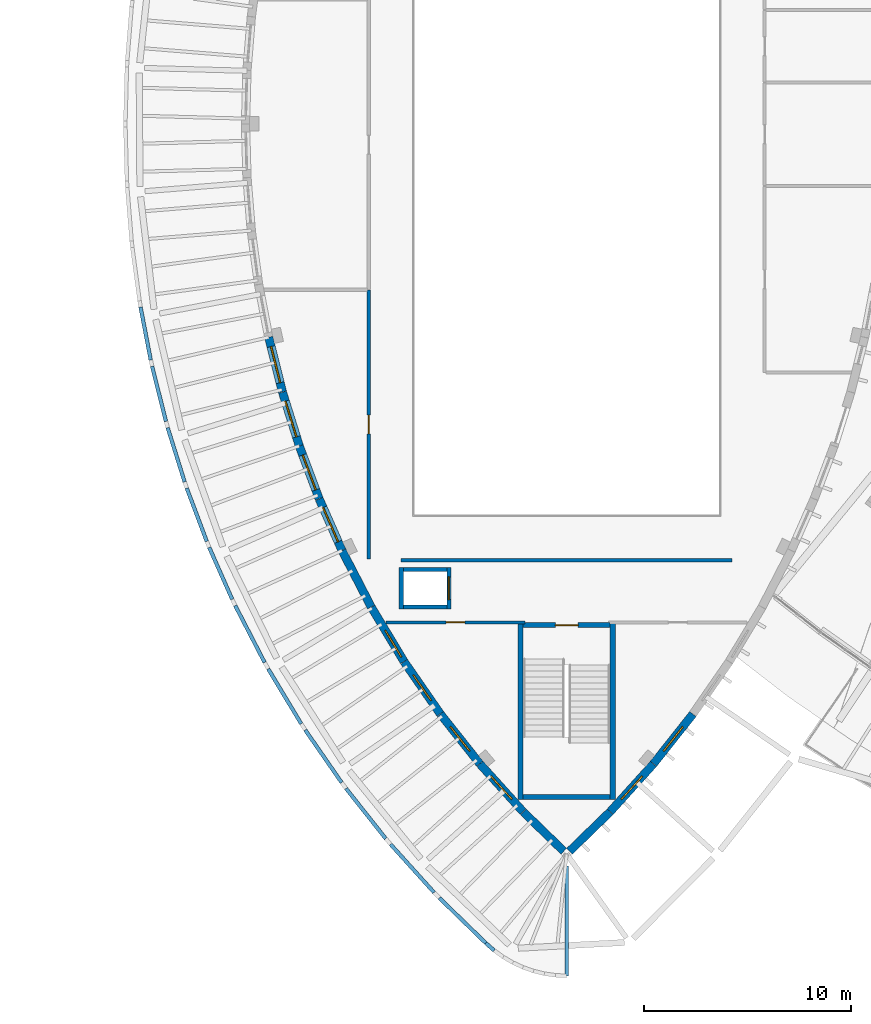
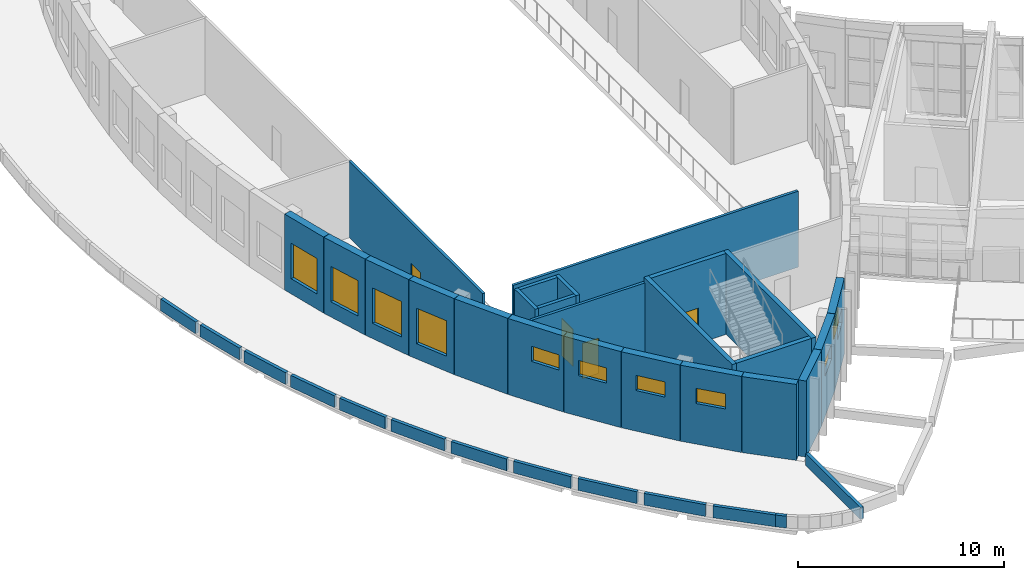
# One storey, part 52 of 93: 37 walls, 10 windows, 4 doors, 14 openings.
"""IFC4 building model written with IfcOpenShell, lengths in metres."""

from ifc_helpers import new_model, si_unit, direction, frame, frame_2d, origin, place, context, subcontext, project, spatial, rectangle, extrude, material, layer, layer_set, type_object, element, fill, save


model = new_model("IFC4")

# Units and contexts
model_context = context("Model", 3, precision=1e-05, world=origin(), true_north=direction((0.0, 1.0)))
body_context = subcontext(model_context, "Body", "Model", "MODEL_VIEW")
ifc_project = project(units=[si_unit("LENGTHUNIT", "METRE"), si_unit("AREAUNIT", "SQUARE_METRE"), si_unit("VOLUMEUNIT", "CUBIC_METRE"), si_unit("PLANEANGLEUNIT", "RADIAN"), si_unit("MASSUNIT", "GRAM", prefix="KILO")], contexts=[model_context])

# Site, building, storey
site_placement = place(None, origin())
site = spatial("IfcSite", under=ifc_project, at=site_placement, CompositionType="ELEMENT")
building_placement = place(site_placement, origin())
building = spatial("IfcBuilding", under=site, at=building_placement, Name="Tide Square Theatres", CompositionType="ELEMENT")
storey_placement = place(building_placement, frame((0.0, 0.0, 5.39990234375)))
storey = spatial("IfcBuildingStorey", under=building, at=storey_placement, Name="L01", CompositionType="ELEMENT", Elevation=5.39990234375)

# Wall
ifc_material_1 = material(Name="Gypsum board on steel studs", Category="steel")
ifc_layer_1 = layer(ifc_material_1, 0.14990234375)
ifc_layer_set_1 = layer_set([ifc_layer_1], Name="Gypsum board on steel studs")
wall_type_1 = type_object("IfcWallType", Name="Partition 150 thick", PredefinedType="PARTITIONING", material=ifc_layer_set_1)
wall_1_placement = place(storey_placement, frame((43.97998046875, 23.449951171875, 0.0), z_axis=(0.0, 0.0, 1.0), x_axis=(-1.0, 0.0, 0.0)))
element("IfcWall", 1, at=wall_1_placement, inside=storey, type_object=wall_type_1, Name="Studio Theatre partition", PredefinedType="PARTITIONING", context=body_context, shape_type="SweptSolid", body=[
    extrude(rectangle(XDim=15.9599609375, YDim=0.14990234375, at=frame_2d((7.97998046875, 0.0))), origin(), (0.0, 0.0, 1.0), 4.5),
])

# Wall, opening, door
wall_2_placement = place(storey_placement, frame((26.449951171875, 23.52001953125, 0.0), z_axis=(0.0, 0.0, 1.0), x_axis=(0.0, 1.0, 0.0)))
wall_2 = element("IfcWall", 2, at=wall_2_placement, inside=storey, type_object=wall_type_1, Name="Studio Theatre partition", PredefinedType="PARTITIONING", context=body_context, shape_type="SweptSolid", body=[
    extrude(rectangle(XDim=12.9599609375, YDim=0.14990234375, at=frame_2d((6.47998046875, 0.0))), origin(), (0.0, 0.0, 1.0), 4.5),
])
opening_1_placement = place(wall_2_placement, frame((6.030029296875, 0.0, 0.0)))
opening_1 = element("IfcOpeningElement", 3, at=opening_1_placement, cuts=wall_2, Name="Opening S01-03", PredefinedType="OPENING", context=body_context, shape_type="SweptSolid", body=[
    extrude(rectangle(XDim=0.89990234375, YDim=2.10009765625, at=frame_2d((0.449951171875, 1.050048828125))), frame((0.0, 0.0849609375, 0.0), z_axis=(0.0, -1.0, 0.0), x_axis=(1.0, 0.0, 0.0)), (0.0, 0.0, 1.0), 0.169921875),
])
ifc_material_2 = material(Name="Hardwood timber", Category="wood")
door_type_1 = type_object("IfcDoorType", Name="Door 900 x 2100 single leaf", OperationType="NOTDEFINED", PredefinedType="DOOR", material=ifc_material_2)
door_1_placement = place(opening_1_placement, origin())
door_1 = element("IfcDoor", 4, at=door_1_placement, inside=storey, type_object=door_type_1, Name="Rehearsal Room 01 door", OperationType="SINGLE_SWING_RIGHT", OverallHeight=2.10009765625, OverallWidth=0.89990234375, PredefinedType="DOOR", context=body_context, shape_type="SweptSolid", body=[
    extrude(rectangle(XDim=0.89990234375, YDim=2.10009765625, at=frame_2d((0.449951171875, 1.050048828125))), frame((0.0, 0.02490234375, 0.0), z_axis=(0.0, -1.0, 0.0), x_axis=(1.0, 0.0, 0.0)), (0.0, 0.0, 1.0), 0.050048828125),
])
fill(opening_1, door_1)

wall_3_placement = place(storey_placement, frame((33.97998046875, 20.449951171875, 0.0), z_axis=(0.0, 0.0, 1.0), x_axis=(-1.0, 0.0, 0.0)))
wall_3 = element("IfcWall", 5, at=wall_3_placement, inside=storey, type_object=wall_type_1, Name="Studio Theatre partition", PredefinedType="PARTITIONING", context=body_context, shape_type="SweptSolid", body=[
    extrude(rectangle(XDim=6.685302734375, YDim=0.14990234375, at=frame_2d((3.3427734375, 0.0))), origin(), (0.0, 0.0, 1.0), 4.5),
])
opening_2_placement = place(wall_3_placement, frame((2.892578125, 0.0, 0.0)))
opening_2 = element("IfcOpeningElement", 6, at=opening_2_placement, cuts=wall_3, Name="Opening S01-13", PredefinedType="OPENING", context=body_context, shape_type="SweptSolid", body=[
    extrude(rectangle(XDim=0.89990234375, YDim=2.10009765625, at=frame_2d((0.449951171875, 1.050048828125))), frame((0.0, 0.0849609375, 0.0), z_axis=(0.0, -1.0, 0.0), x_axis=(1.0, 0.0, 0.0)), (0.0, 0.0, 1.0), 0.169921875),
])
door_2_placement = place(opening_2_placement, origin())
door_2 = element("IfcDoor", 7, at=door_2_placement, inside=storey, type_object=door_type_1, Name="Costume Store door", OperationType="SINGLE_SWING_RIGHT", OverallHeight=2.10009765625, OverallWidth=0.89990234375, PredefinedType="DOOR", context=body_context, shape_type="SweptSolid", body=[
    extrude(rectangle(XDim=0.89990234375, YDim=2.10009765625, at=frame_2d((0.449951171875, 1.050048828125))), frame((0.0, 0.02490234375, 0.0), z_axis=(0.0, -1.0, 0.0), x_axis=(1.0, 0.0, 0.0)), (0.0, 0.0, 1.0), 0.050048828125),
])
fill(opening_2, door_2)

# Wall
ifc_material_3 = material(Name="Concrete C40", Category="concrete")
ifc_layer_2 = layer(ifc_material_3, 0.39990234375)
ifc_layer_set_2 = layer_set([ifc_layer_2], Name="Concrete C40")
wall_type_2 = type_object("IfcWallType", Name="RC curved wall 400 thick", PredefinedType="SOLIDWALL", material=ifc_layer_set_2)
wall_4_placement = place(storey_placement, frame((36.139404296875, 9.414306640625, 0.0), z_axis=(0.0, 0.0, 1.0), x_axis=(0.717243568607, 0.696822547922, 0.0)))
element("IfcWall", 8, at=wall_4_placement, inside=storey, type_object=wall_type_2, Name="Studio Theatre perimeter wall", PredefinedType="SOLIDWALL", context=body_context, shape_type="SweptSolid", body=[
    extrude(rectangle(XDim=2.725830078125, YDim=0.39990234375, at=frame_2d((1.36279296875, 0.0))), origin(), (0.0, 0.0, 1.0), 4.5),
])

# Wall, opening, window
wall_5_placement = place(storey_placement, frame((38.103515625, 11.322998046875, 0.0), z_axis=(0.0, 0.0, 1.0), x_axis=(0.67038553216, 0.742012963681, 0.0)))
wall_5 = element("IfcWall", 9, at=wall_5_placement, inside=storey, type_object=wall_type_2, Name="Studio Theatre perimeter wall", PredefinedType="SOLIDWALL", context=body_context, shape_type="SweptSolid", body=[
    extrude(rectangle(XDim=3.101806640625, YDim=0.39990234375, at=frame_2d((1.55078125, 0.0))), origin(), (0.0, 0.0, 1.0), 4.5),
])
opening_3_placement = place(wall_5_placement, frame((0.80078125, 0.0, 2.39990234375)))
opening_3 = element("IfcOpeningElement", 10, at=opening_3_placement, cuts=wall_5, Name="Opening WN-04", PredefinedType="OPENING", context=body_context, shape_type="SweptSolid", body=[
    extrude(rectangle(XDim=1.5, YDim=0.89990234375, at=frame_2d((0.75, 0.449951171875))), frame((0.0, 0.2099609375, 0.0), z_axis=(0.0, -1.0, 0.0), x_axis=(1.0, 0.0, 0.0)), (0.0, 0.0, 1.0), 0.419921875),
])
ifc_material_4 = material(Name="Aluminium with laminated glass", Category="aluminium")
window_type_1 = type_object("IfcWindowType", Name="Window 1500 x 900", PartitioningType="SINGLE_PANEL", PredefinedType="WINDOW", material=ifc_material_4)
window_1_placement = place(opening_3_placement, origin())
window_1 = element("IfcWindow", 11, at=window_1_placement, inside=storey, type_object=window_type_1, Name="Studio Theatre Scenic Props Store window", OverallHeight=0.89990234375, OverallWidth=1.5, PartitioningType="SINGLE_PANEL", PredefinedType="WINDOW", context=body_context, shape_type="SweptSolid", body=[
    extrude(rectangle(XDim=1.5, YDim=0.89990234375, at=frame_2d((0.75, 0.449951171875))), frame((0.0, 0.030029296875, 0.0), z_axis=(0.0, -1.0, 0.0), x_axis=(1.0, 0.0, 0.0)), (0.0, 0.0, 1.0), 0.06005859375),
])
fill(opening_3, window_1)

wall_6_placement = place(storey_placement, frame((40.191162109375, 13.63427734375, 0.0), z_axis=(0.0, 0.0, 1.0), x_axis=(0.620958553355, 0.783843399548, 0.0)))
wall_6 = element("IfcWall", 12, at=wall_6_placement, inside=storey, type_object=wall_type_2, Name="Studio Theatre perimeter wall", PredefinedType="SOLIDWALL", context=body_context, shape_type="SweptSolid", body=[
    extrude(rectangle(XDim=3.0576171875, YDim=0.39990234375, at=frame_2d((1.52880859375, 0.0))), origin(), (0.0, 0.0, 1.0), 4.5),
])
opening_4_placement = place(wall_6_placement, frame((0.77880859375, 0.0, 2.39990234375)))
opening_4 = element("IfcOpeningElement", 13, at=opening_4_placement, cuts=wall_6, Name="Opening WN-04", PredefinedType="OPENING", context=body_context, shape_type="SweptSolid", body=[
    extrude(rectangle(XDim=1.5, YDim=0.89990234375, at=frame_2d((0.75, 0.449951171875))), frame((0.0, 0.2099609375, 0.0), z_axis=(0.0, -1.0, 0.0), x_axis=(1.0, 0.0, 0.0)), (0.0, 0.0, 1.0), 0.419921875),
])
window_2_placement = place(opening_4_placement, origin())
window_2 = element("IfcWindow", 14, at=window_2_placement, inside=storey, type_object=window_type_1, Name="Studio Theatre Scenic Props Store window", OverallHeight=0.89990234375, OverallWidth=1.5, PartitioningType="SINGLE_PANEL", PredefinedType="WINDOW", context=body_context, shape_type="SweptSolid", body=[
    extrude(rectangle(XDim=1.5, YDim=0.89990234375, at=frame_2d((0.75, 0.449951171875))), frame((0.0, 0.030029296875, 0.0), z_axis=(0.0, -1.0, 0.0), x_axis=(1.0, 0.0, 0.0)), (0.0, 0.0, 1.0), 0.06005859375),
])
fill(opening_4, window_2)

wall_7_placement = place(storey_placement, frame((21.62939453125, 34.20458984375, 0.0), z_axis=(0.0, 0.0, 1.0), x_axis=(0.2430011368, -0.970026003525, 0.0)))
wall_7 = element("IfcWall", 15, at=wall_7_placement, inside=storey, type_object=wall_type_2, Name="Studio Theatre perimeter wall", PredefinedType="SOLIDWALL", context=body_context, shape_type="SweptSolid", body=[
    extrude(rectangle(XDim=2.714599609375, YDim=0.39990234375, at=frame_2d((1.357421875, 0.0))), origin(), (0.0, 0.0, 1.0), 4.5),
])
opening_5_placement = place(wall_7_placement, frame((0.45751953125, 0.0, 0.89990234375)))
opening_5 = element("IfcOpeningElement", 16, at=opening_5_placement, cuts=wall_7, Name="Opening WN-14", PredefinedType="OPENING", context=body_context, shape_type="SweptSolid", body=[
    extrude(rectangle(XDim=1.800048828125, YDim=2.10009765625, at=frame_2d((0.89990234375, 1.050048828125))), frame((0.0, 0.2099609375, 0.0), z_axis=(0.0, -1.0, 0.0), x_axis=(1.0, 0.0, 0.0)), (0.0, 0.0, 1.0), 0.419921875),
])
ifc_material_5 = material(Name="Aluminium with laminated glass", Category="aluminium")
window_type_2 = type_object("IfcWindowType", Name="Window 1800 x 2100", PartitioningType="DOUBLE_PANEL_VERTICAL", PredefinedType="WINDOW", material=ifc_material_5)
window_3_placement = place(opening_5_placement, origin())
window_3 = element("IfcWindow", 17, at=window_3_placement, inside=storey, type_object=window_type_2, Name="Studio Theatre Rehearsal Room 01 window", OverallHeight=2.10009765625, OverallWidth=1.800048828125, PartitioningType="SINGLE_PANEL", PredefinedType="WINDOW", context=body_context, shape_type="SweptSolid", body=[
    extrude(rectangle(XDim=1.800048828125, YDim=2.10009765625, at=frame_2d((0.89990234375, 1.050048828125))), frame((0.0, 0.030029296875, 0.0), z_axis=(0.0, -1.0, 0.0), x_axis=(1.0, 0.0, 0.0)), (0.0, 0.0, 1.0), 0.06005859375),
])
fill(opening_5, window_3)

wall_8_placement = place(storey_placement, frame((22.2919921875, 31.560302734375, 0.0), z_axis=(0.0, 0.0, 1.0), x_axis=(0.29795748067, -0.954579142718, 0.0)))
wall_8 = element("IfcWall", 18, at=wall_8_placement, inside=storey, type_object=wall_type_2, Name="Studio Theatre perimeter wall", PredefinedType="SOLIDWALL", context=body_context, shape_type="SweptSolid", body=[
    extrude(rectangle(XDim=2.714599609375, YDim=0.39990234375, at=frame_2d((1.357421875, 0.0))), origin(), (0.0, 0.0, 1.0), 4.5),
])
opening_6_placement = place(wall_8_placement, frame((0.457275390625, 0.0, 0.89990234375)))
opening_6 = element("IfcOpeningElement", 19, at=opening_6_placement, cuts=wall_8, Name="Opening WN-14", PredefinedType="OPENING", context=body_context, shape_type="SweptSolid", body=[
    extrude(rectangle(XDim=1.800048828125, YDim=2.10009765625, at=frame_2d((0.89990234375, 1.050048828125))), frame((0.0, 0.2099609375, 0.0), z_axis=(0.0, -1.0, 0.0), x_axis=(1.0, 0.0, 0.0)), (0.0, 0.0, 1.0), 0.419921875),
])
window_4_placement = place(opening_6_placement, origin())
window_4 = element("IfcWindow", 20, at=window_4_placement, inside=storey, type_object=window_type_2, Name="Studio Theatre Rehearsal Room 01 window", OverallHeight=2.10009765625, OverallWidth=1.800048828125, PartitioningType="SINGLE_PANEL", PredefinedType="WINDOW", context=body_context, shape_type="SweptSolid", body=[
    extrude(rectangle(XDim=1.800048828125, YDim=2.10009765625, at=frame_2d((0.89990234375, 1.050048828125))), frame((0.0, 0.030029296875, 0.0), z_axis=(0.0, -1.0, 0.0), x_axis=(1.0, 0.0, 0.0)), (0.0, 0.0, 1.0), 0.06005859375),
])
fill(opening_6, window_4)

wall_9_placement = place(storey_placement, frame((23.1044921875, 28.958251953125, 0.0), z_axis=(0.0, 0.0, 1.0), x_axis=(0.351862601417, -0.936051659752, 0.0)))
wall_9 = element("IfcWall", 21, at=wall_9_placement, inside=storey, type_object=wall_type_2, Name="Studio Theatre perimeter wall", PredefinedType="SOLIDWALL", context=body_context, shape_type="SweptSolid", body=[
    extrude(rectangle(XDim=2.71435546875, YDim=0.39990234375, at=frame_2d((1.357177734375, 0.0))), origin(), (0.0, 0.0, 1.0), 4.5),
])
opening_7_placement = place(wall_9_placement, frame((0.457275390625, 0.0, 0.89990234375)))
opening_7 = element("IfcOpeningElement", 22, at=opening_7_placement, cuts=wall_9, Name="Opening WN-14", PredefinedType="OPENING", context=body_context, shape_type="SweptSolid", body=[
    extrude(rectangle(XDim=1.800048828125, YDim=2.10009765625, at=frame_2d((0.89990234375, 1.050048828125))), frame((0.0, 0.2099609375, 0.0), z_axis=(0.0, -1.0, 0.0), x_axis=(1.0, 0.0, 0.0)), (0.0, 0.0, 1.0), 0.419921875),
])
window_5_placement = place(opening_7_placement, origin())
window_5 = element("IfcWindow", 23, at=window_5_placement, inside=storey, type_object=window_type_2, Name="Studio Theatre Rehearsal Room 01 window", OverallHeight=2.10009765625, OverallWidth=1.800048828125, PartitioningType="SINGLE_PANEL", PredefinedType="WINDOW", context=body_context, shape_type="SweptSolid", body=[
    extrude(rectangle(XDim=1.800048828125, YDim=2.10009765625, at=frame_2d((0.89990234375, 1.050048828125))), frame((0.0, 0.030029296875, 0.0), z_axis=(0.0, -1.0, 0.0), x_axis=(1.0, 0.0, 0.0)), (0.0, 0.0, 1.0), 0.06005859375),
])
fill(opening_7, window_5)

wall_10_placement = place(storey_placement, frame((24.06396484375, 26.406982421875, 0.0), z_axis=(0.0, 0.0, 1.0), x_axis=(0.404652153757, -0.914470685402, 0.0)))
wall_10 = element("IfcWall", 24, at=wall_10_placement, inside=storey, type_object=wall_type_2, Name="Studio Theatre perimeter wall", PredefinedType="SOLIDWALL", context=body_context, shape_type="SweptSolid", body=[
    extrude(rectangle(XDim=2.7138671875, YDim=0.39990234375, at=frame_2d((1.35693359375, 0.0))), origin(), (0.0, 0.0, 1.0), 4.5),
])
opening_8_placement = place(wall_10_placement, frame((0.456787109375, 0.0, 0.89990234375)))
opening_8 = element("IfcOpeningElement", 25, at=opening_8_placement, cuts=wall_10, Name="Opening WN-14", PredefinedType="OPENING", context=body_context, shape_type="SweptSolid", body=[
    extrude(rectangle(XDim=1.800048828125, YDim=2.10009765625, at=frame_2d((0.89990234375, 1.050048828125))), frame((0.0, 0.2099609375, 0.0), z_axis=(0.0, -1.0, 0.0), x_axis=(1.0, 0.0, 0.0)), (0.0, 0.0, 1.0), 0.419921875),
])
window_6_placement = place(opening_8_placement, origin())
window_6 = element("IfcWindow", 26, at=window_6_placement, inside=storey, type_object=window_type_2, Name="Studio Theatre Rehearsal Room 01 window", OverallHeight=2.10009765625, OverallWidth=1.800048828125, PartitioningType="SINGLE_PANEL", PredefinedType="WINDOW", context=body_context, shape_type="SweptSolid", body=[
    extrude(rectangle(XDim=1.800048828125, YDim=2.10009765625, at=frame_2d((0.89990234375, 1.050048828125))), frame((0.0, 0.030029296875, 0.0), z_axis=(0.0, -1.0, 0.0), x_axis=(1.0, 0.0, 0.0)), (0.0, 0.0, 1.0), 0.06005859375),
])
fill(opening_8, window_6)

# Wall
wall_11_placement = place(storey_placement, frame((25.167236328125, 23.914306640625, 0.0), z_axis=(0.0, 0.0, 1.0), x_axis=(0.45930565039, -0.888278289457, 0.0)))
element("IfcWall", 27, at=wall_11_placement, inside=storey, type_object=wall_type_2, Name="Studio Theatre perimeter wall", PredefinedType="SOLIDWALL", context=body_context, shape_type="SweptSolid", body=[
    extrude(rectangle(XDim=3.05859375, YDim=0.39990234375, at=frame_2d((1.529296875, 0.0))), origin(), (0.0, 0.0, 1.0), 4.5),
])

# Wall, opening, window
wall_12_placement = place(storey_placement, frame((26.578369140625, 21.186279296875, 0.0), z_axis=(0.0, 0.0, 1.0), x_axis=(0.515387841983, -0.856957042293, 0.0)))
wall_12 = element("IfcWall", 28, at=wall_12_placement, inside=storey, type_object=wall_type_2, Name="Studio Theatre perimeter wall", PredefinedType="SOLIDWALL", context=body_context, shape_type="SweptSolid", body=[
    extrude(rectangle(XDim=3.057861328125, YDim=0.39990234375, at=frame_2d((1.52880859375, 0.0))), origin(), (0.0, 0.0, 1.0), 4.5),
])
opening_9_placement = place(wall_12_placement, frame((1.303955078125, 0.0, 2.39990234375)))
opening_9 = element("IfcOpeningElement", 29, at=opening_9_placement, cuts=wall_12, Name="Opening WN-04", PredefinedType="OPENING", context=body_context, shape_type="SweptSolid", body=[
    extrude(rectangle(XDim=1.5, YDim=0.89990234375, at=frame_2d((0.75, 0.449951171875))), frame((0.0, 0.2099609375, 0.0), z_axis=(0.0, -1.0, 0.0), x_axis=(1.0, 0.0, 0.0)), (0.0, 0.0, 1.0), 0.419921875),
])
window_7_placement = place(opening_9_placement, origin())
window_7 = element("IfcWindow", 30, at=window_7_placement, inside=storey, type_object=window_type_1, Name="Studio Theatre Costume Store window", OverallHeight=0.89990234375, OverallWidth=1.5, PartitioningType="SINGLE_PANEL", PredefinedType="WINDOW", context=body_context, shape_type="SweptSolid", body=[
    extrude(rectangle(XDim=1.5, YDim=0.89990234375, at=frame_2d((0.75, 0.449951171875))), frame((0.0, 0.030029296875, 0.0), z_axis=(0.0, -1.0, 0.0), x_axis=(1.0, 0.0, 0.0)), (0.0, 0.0, 1.0), 0.06005859375),
])
fill(opening_9, window_7)

wall_13_placement = place(storey_placement, frame((28.161376953125, 18.55517578125, 0.0), z_axis=(0.0, 0.0, 1.0), x_axis=(0.569371892655, -0.822080073871, 0.0)))
wall_13 = element("IfcWall", 31, at=wall_13_placement, inside=storey, type_object=wall_type_2, Name="Studio Theatre perimeter wall", PredefinedType="SOLIDWALL", context=body_context, shape_type="SweptSolid", body=[
    extrude(rectangle(XDim=3.0576171875, YDim=0.39990234375, at=frame_2d((1.52880859375, 0.0))), origin(), (0.0, 0.0, 1.0), 4.5),
])
opening_10_placement = place(wall_13_placement, frame((0.77880859375, 0.0, 2.39990234375)))
opening_10 = element("IfcOpeningElement", 32, at=opening_10_placement, cuts=wall_13, Name="Opening WN-04", PredefinedType="OPENING", context=body_context, shape_type="SweptSolid", body=[
    extrude(rectangle(XDim=1.5, YDim=0.89990234375, at=frame_2d((0.75, 0.449951171875))), frame((0.0, 0.2099609375, 0.0), z_axis=(0.0, -1.0, 0.0), x_axis=(1.0, 0.0, 0.0)), (0.0, 0.0, 1.0), 0.419921875),
])
window_8_placement = place(opening_10_placement, origin())
window_8 = element("IfcWindow", 33, at=window_8_placement, inside=storey, type_object=window_type_1, Name="Studio Theatre Costume Store window", OverallHeight=0.89990234375, OverallWidth=1.5, PartitioningType="SINGLE_PANEL", PredefinedType="WINDOW", context=body_context, shape_type="SweptSolid", body=[
    extrude(rectangle(XDim=1.5, YDim=0.89990234375, at=frame_2d((0.75, 0.449951171875))), frame((0.0, 0.030029296875, 0.0), z_axis=(0.0, -1.0, 0.0), x_axis=(1.0, 0.0, 0.0)), (0.0, 0.0, 1.0), 0.06005859375),
])
fill(opening_10, window_8)

wall_14_placement = place(storey_placement, frame((29.91015625, 16.031005859375, 0.0), z_axis=(0.0, 0.0, 1.0), x_axis=(0.620958553355, -0.783843399548, 0.0)))
wall_14 = element("IfcWall", 34, at=wall_14_placement, inside=storey, type_object=wall_type_2, Name="Studio Theatre perimeter wall", PredefinedType="SOLIDWALL", context=body_context, shape_type="SweptSolid", body=[
    extrude(rectangle(XDim=3.0576171875, YDim=0.39990234375, at=frame_2d((1.52880859375, 0.0))), origin(), (0.0, 0.0, 1.0), 4.5),
])
opening_11_placement = place(wall_14_placement, frame((0.77880859375, 0.0, 2.39990234375)))
opening_11 = element("IfcOpeningElement", 35, at=opening_11_placement, cuts=wall_14, Name="Opening WN-04", PredefinedType="OPENING", context=body_context, shape_type="SweptSolid", body=[
    extrude(rectangle(XDim=1.5, YDim=0.89990234375, at=frame_2d((0.75, 0.449951171875))), frame((0.0, 0.2099609375, 0.0), z_axis=(0.0, -1.0, 0.0), x_axis=(1.0, 0.0, 0.0)), (0.0, 0.0, 1.0), 0.419921875),
])
window_9_placement = place(opening_11_placement, origin())
window_9 = element("IfcWindow", 36, at=window_9_placement, inside=storey, type_object=window_type_1, Name="Studio Theatre Costume Store window", OverallHeight=0.89990234375, OverallWidth=1.5, PartitioningType="SINGLE_PANEL", PredefinedType="WINDOW", context=body_context, shape_type="SweptSolid", body=[
    extrude(rectangle(XDim=1.5, YDim=0.89990234375, at=frame_2d((0.75, 0.449951171875))), frame((0.0, 0.030029296875, 0.0), z_axis=(0.0, -1.0, 0.0), x_axis=(1.0, 0.0, 0.0)), (0.0, 0.0, 1.0), 0.06005859375),
])
fill(opening_11, window_9)

wall_15_placement = place(storey_placement, frame((31.817138671875, 13.62451171875, 0.0), z_axis=(0.0, 0.0, 1.0), x_axis=(0.67038553216, -0.742012963681, 0.0)))
wall_15 = element("IfcWall", 37, at=wall_15_placement, inside=storey, type_object=wall_type_2, Name="Studio Theatre perimeter wall", PredefinedType="SOLIDWALL", context=body_context, shape_type="SweptSolid", body=[
    extrude(rectangle(XDim=3.101806640625, YDim=0.39990234375, at=frame_2d((1.55078125, 0.0))), origin(), (0.0, 0.0, 1.0), 4.5),
])
opening_12_placement = place(wall_15_placement, frame((0.80078125, 0.0, 2.39990234375)))
opening_12 = element("IfcOpeningElement", 38, at=opening_12_placement, cuts=wall_15, Name="Opening WN-04", PredefinedType="OPENING", context=body_context, shape_type="SweptSolid", body=[
    extrude(rectangle(XDim=1.5, YDim=0.89990234375, at=frame_2d((0.75, 0.449951171875))), frame((0.0, 0.2099609375, 0.0), z_axis=(0.0, -1.0, 0.0), x_axis=(1.0, 0.0, 0.0)), (0.0, 0.0, 1.0), 0.419921875),
])
window_10_placement = place(opening_12_placement, origin())
window_10 = element("IfcWindow", 39, at=window_10_placement, inside=storey, type_object=window_type_1, Name="Studio Theatre Costume Store window", OverallHeight=0.89990234375, OverallWidth=1.5, PartitioningType="SINGLE_PANEL", PredefinedType="WINDOW", context=body_context, shape_type="SweptSolid", body=[
    extrude(rectangle(XDim=1.5, YDim=0.89990234375, at=frame_2d((0.75, 0.449951171875))), frame((0.0, 0.030029296875, 0.0), z_axis=(0.0, -1.0, 0.0), x_axis=(1.0, 0.0, 0.0)), (0.0, 0.0, 1.0), 0.06005859375),
])
fill(opening_12, window_10)

# Walls
wall_16_placement = place(storey_placement, frame((33.905517578125, 11.313720703125, 0.0), z_axis=(0.0, 0.0, 1.0), x_axis=(0.717243568607, -0.696822547922, 0.0)))
element("IfcWall", 40, at=wall_16_placement, inside=storey, type_object=wall_type_2, Name="Studio Theatre perimeter wall", PredefinedType="SOLIDWALL", context=body_context, shape_type="SweptSolid", body=[
    extrude(rectangle(XDim=2.725830078125, YDim=0.39990234375, at=frame_2d((1.36279296875, 0.0))), origin(), (0.0, 0.0, 1.0), 4.5),
])
ifc_material_6 = material(Name="Concrete C40", Category="concrete")
ifc_layer_3 = layer(ifc_material_6, 0.179931640625)
ifc_layer_set_3 = layer_set([ifc_layer_3], Name="Concrete C40")
wall_type_3 = type_object("IfcWallType", Name="RC parapet 180 thick", PredefinedType="PARAPET", material=ifc_layer_set_3)
for number, where, z_axis, x_axis, name in (
    (41, (27.270751953125, 10.0224609375, 0.0), (0.0, 0.0, 1.0), (-0.62097059958, 0.783833856412, 0.0), "Arcade roof parapet"),
    (42, (25.1416015625, 12.728515625, 0.0), (0.0, 0.0, 1.0), (-0.569358187983, 0.822089565544, 0.0), "Arcade roof parapet"),
    (43, (23.19091796875, 15.565673828125, 0.0), (0.0, 0.0, 1.0), (-0.515438575265, 0.856926528431, 0.0), "Arcade roof parapet"),
):
    element("IfcWall", number, at=place(storey_placement, frame(where, z_axis=z_axis, x_axis=x_axis)), inside=storey, type_object=wall_type_3, Name=name, PredefinedType="PARAPET", context=body_context, shape_type="SweptSolid", body=[
        extrude(rectangle(XDim=3.08349609375, YDim=0.179931640625, at=frame_2d((1.541748046875, 0.0))), origin(), (0.0, 0.0, 1.0), 0.7001953125),
    ])
wall_17_placement = place(storey_placement, frame((21.426025390625, 18.522216796875, 0.0), z_axis=(0.0, 0.0, 1.0), x_axis=(-0.459334598253, 0.88826332067, 0.0)))
element("IfcWall", 44, at=wall_17_placement, inside=storey, type_object=wall_type_3, Name="Arcade roof parapet", PredefinedType="PARAPET", context=body_context, shape_type="SweptSolid", body=[
    extrude(rectangle(XDim=3.083251953125, YDim=0.179931640625, at=frame_2d((1.54150390625, 0.0))), origin(), (0.0, 0.0, 1.0), 0.7001953125),
])
wall_18_placement = place(storey_placement, frame((19.863037109375, 21.5673828125, 0.0), z_axis=(0.0, 0.0, 1.0), x_axis=(-0.404689643932, 0.914454095127, 0.0)))
element("IfcWall", 45, at=wall_18_placement, inside=storey, type_object=wall_type_3, Name="Arcade roof parapet", PredefinedType="PARAPET", context=body_context, shape_type="SweptSolid", body=[
    extrude(rectangle(XDim=2.737060546875, YDim=0.179931640625, at=frame_2d((1.36865234375, 0.0))), origin(), (0.0, 0.0, 1.0), 0.7001953125),
])
wall_19_placement = place(storey_placement, frame((18.634521484375, 24.365966796875, 0.0), z_axis=(0.0, 0.0, 1.0), x_axis=(-0.351856406336, 0.936053988465, 0.0)))
element("IfcWall", 46, at=wall_19_placement, inside=storey, type_object=wall_type_3, Name="Arcade roof parapet", PredefinedType="PARAPET", context=body_context, shape_type="SweptSolid", body=[
    extrude(rectangle(XDim=2.7373046875, YDim=0.179931640625, at=frame_2d((1.36865234375, 0.0))), origin(), (0.0, 0.0, 1.0), 0.7001953125),
])
wall_20_placement = place(storey_placement, frame((17.567626953125, 27.230224609375, 0.0), z_axis=(0.0, 0.0, 1.0), x_axis=(-0.297919452396, 0.954591011839, 0.0)))
element("IfcWall", 47, at=wall_20_placement, inside=storey, type_object=wall_type_3, Name="Arcade roof parapet", PredefinedType="PARAPET", context=body_context, shape_type="SweptSolid", body=[
    extrude(rectangle(XDim=2.737060546875, YDim=0.179931640625, at=frame_2d((1.36865234375, 0.0))), origin(), (0.0, 0.0, 1.0), 0.7001953125),
])
wall_21_placement = place(storey_placement, frame((16.665771484375, 30.150390625, 0.0), z_axis=(0.0, 0.0, 1.0), x_axis=(-0.243039246268, 0.970016455929, 0.0)))
element("IfcWall", 48, at=wall_21_placement, inside=storey, type_object=wall_type_3, Name="Arcade roof parapet", PredefinedType="PARAPET", context=body_context, shape_type="SweptSolid", body=[
    extrude(rectangle(XDim=2.7373046875, YDim=0.179931640625, at=frame_2d((1.36865234375, 0.0))), origin(), (0.0, 0.0, 1.0), 0.7001953125),
])
wall_22_placement = place(storey_placement, frame((15.93310546875, 33.10986328125, 0.0), z_axis=(0.0, 0.0, 1.0), x_axis=(-0.188680437445, 0.982038539226, 0.0)))
element("IfcWall", 49, at=wall_22_placement, inside=storey, type_object=wall_type_3, Name="Arcade roof parapet", PredefinedType="PARAPET", context=body_context, shape_type="SweptSolid", body=[
    extrude(rectangle(XDim=2.603515625, YDim=0.179931640625, at=frame_2d((1.3017578125, 0.0))), origin(), (0.0, 0.0, 1.0), 0.7001953125),
])
wall_23_placement = place(storey_placement, frame((36.0, 8.699951171875, 0.0), z_axis=(0.0, 0.0, 1.0), x_axis=(0.0, -1.0, 0.0)))
element("IfcWall", 50, at=wall_23_placement, inside=storey, type_object=wall_type_3, Name="Arcade roof parapet", PredefinedType="PARAPET", context=body_context, shape_type="SweptSolid", body=[
    extrude(rectangle(XDim=5.300048828125, YDim=0.179931640625, at=frame_2d((2.64990234375, 0.0))), origin(), (0.0, 0.0, 1.0), 0.7001953125),
])
wall_24_placement = place(storey_placement, frame((32.50244140625, 4.62646484375, 0.0), z_axis=(0.0, 0.0, 1.0), x_axis=(-0.7498510615, 0.661606669833, 0.0)))
element("IfcWall", 51, at=wall_24_placement, inside=storey, type_object=wall_type_3, Name="Arcade roof parapet", PredefinedType="PARAPET", context=body_context, shape_type="SweptSolid", body=[
    extrude(rectangle(XDim=0.53955078125, YDim=0.179931640625, at=frame_2d((0.269775390625, 0.0))), origin(), (0.0, 0.0, 1.0), 0.7001953125),
])
wall_25_placement = place(storey_placement, frame((32.097900390625, 4.9833984375, 0.0), z_axis=(0.0, 0.0, 1.0), x_axis=(-0.717297215513, 0.696767324591, 0.0)))
element("IfcWall", 52, at=wall_25_placement, inside=storey, type_object=wall_type_3, Name="Arcade roof parapet", PredefinedType="PARAPET", context=body_context, shape_type="SweptSolid", body=[
    extrude(rectangle(XDim=3.127685546875, YDim=0.179931640625, at=frame_2d((1.56396484375, 0.0))), origin(), (0.0, 0.0, 1.0), 0.7001953125),
])
wall_26_placement = place(storey_placement, frame((29.601318359375, 7.42529296875, 0.0), z_axis=(0.0, 0.0, 1.0), x_axis=(-0.670326473938, 0.742066316671, 0.0)))
element("IfcWall", 53, at=wall_26_placement, inside=storey, type_object=wall_type_3, Name="Arcade roof parapet", PredefinedType="PARAPET", context=body_context, shape_type="SweptSolid", body=[
    extrude(rectangle(XDim=3.12744140625, YDim=0.179931640625, at=frame_2d((1.563720703125, 0.0))), origin(), (0.0, 0.0, 1.0), 0.7001953125),
])

# Wall, opening, door
ifc_material_7 = material(Name="Concrete C40", Category="concrete")
ifc_layer_4 = layer(ifc_material_7, 0.199951171875)
ifc_layer_set_4 = layer_set([ifc_layer_4], Name="Concrete C40")
wall_type_4 = type_object("IfcWallType", Name="RC shear wall 200 thick", PredefinedType="SHEAR", material=ifc_layer_set_4)
wall_27_placement = place(storey_placement, frame((30.320068359375, 21.10009765625, 0.0), z_axis=(0.0, 0.0, 1.0), x_axis=(0.0, 1.0, 0.0)))
wall_27 = element("IfcWall", 54, at=wall_27_placement, inside=storey, type_object=wall_type_4, Name="Studio Theatre lift shaft wall", PredefinedType="SHEAR", context=body_context, shape_type="SweptSolid", body=[
    extrude(rectangle(XDim=2.0, YDim=0.199951171875, at=frame_2d((1.0, 0.0))), origin(), (0.0, 0.0, 1.0), 4.5),
])
opening_13_placement = place(wall_27_placement, frame((0.449951171875, 0.0, 0.0)))
opening_13 = element("IfcOpeningElement", 55, at=opening_13_placement, cuts=wall_27, Name="Opening LD-S1-1", PredefinedType="OPENING", context=body_context, shape_type="SweptSolid", body=[
    extrude(rectangle(XDim=1.10009765625, YDim=2.199951171875, at=frame_2d((0.550048828125, 1.10009765625))), frame((0.0, 0.10986328125, 0.0), z_axis=(0.0, -1.0, 0.0), x_axis=(1.0, 0.0, 0.0)), (0.0, 0.0, 1.0), 0.219970703125),
])
ifc_material_8 = material(Name="Painted steel", Category="steel")
door_type_2 = type_object("IfcDoorType", Name="Door 1100 x 2200 sliding", OperationType="SLIDING_TO_LEFT", PredefinedType="DOOR", material=ifc_material_8)
door_3_placement = place(opening_13_placement, origin())
door_3 = element("IfcDoor", 56, at=door_3_placement, inside=storey, type_object=door_type_2, Name="Studio Theatre lift landing door L01", OperationType="SLIDING_TO_LEFT", OverallHeight=2.199951171875, OverallWidth=1.10009765625, PredefinedType="DOOR", context=body_context, shape_type="SweptSolid", body=[
    extrude(rectangle(XDim=1.10009765625, YDim=2.199951171875, at=frame_2d((0.550048828125, 1.10009765625))), frame((0.0, 0.02490234375, 0.0), z_axis=(0.0, -1.0, 0.0), x_axis=(1.0, 0.0, 0.0)), (0.0, 0.0, 1.0), 0.050048828125),
])
fill(opening_13, door_3)

# Walls
wall_28_placement = place(storey_placement, frame((28.02001953125, 23.10009765625, 0.0), z_axis=(0.0, 0.0, 1.0), x_axis=(0.0, -1.0, 0.0)))
element("IfcWall", 57, at=wall_28_placement, inside=storey, type_object=wall_type_4, Name="Studio Theatre lift shaft wall", PredefinedType="SHEAR", context=body_context, shape_type="SweptSolid", body=[
    extrude(rectangle(XDim=2.0, YDim=0.199951171875, at=frame_2d((1.0, 0.0))), origin(), (0.0, 0.0, 1.0), 4.5),
])
for number, where, z_axis, x_axis, name in (
    (58, (28.1201171875, 21.199951171875, 0.0), (0.0, 0.0, 1.0), (1.0, 0.0, 0.0), "Studio Theatre lift shaft wall"),
    (59, (30.219970703125, 23.0, 0.0), (0.0, 0.0, 1.0), (-1.0, 0.0, 0.0), "Studio Theatre lift shaft wall"),
):
    element("IfcWall", number, at=place(storey_placement, frame(where, z_axis=z_axis, x_axis=x_axis)), inside=storey, type_object=wall_type_4, Name=name, PredefinedType="SHEAR", context=body_context, shape_type="SweptSolid", body=[
        extrude(rectangle(XDim=2.099853515625, YDim=0.199951171875, at=frame_2d((1.0498046875, 0.0))), origin(), (0.0, 0.0, 1.0), 4.5),
    ])
ifc_material_9 = material(Name="Concrete C40", Category="concrete")
ifc_layer_5 = layer(ifc_material_9, 0.25)
ifc_layer_set_5 = layer_set([ifc_layer_5], Name="Concrete C40")
wall_type_5 = type_object("IfcWallType", Name="RC shear wall 250 thick", PredefinedType="SHEAR", material=ifc_layer_set_5)
for number, where, z_axis, x_axis, name in (
    (60, (33.77490234375, 20.449951171875, 0.0), (0.0, 0.0, 1.0), (0.0, -1.0, 0.0), "Studio Theatre Stair S2 shaft wall"),
    (61, (38.22509765625, 11.89990234375, 0.0), (0.0, 0.0, 1.0), (0.0, 1.0, 0.0), "Studio Theatre Stair S2 shaft wall"),
):
    element("IfcWall", number, at=place(storey_placement, frame(where, z_axis=z_axis, x_axis=x_axis)), inside=storey, type_object=wall_type_5, Name=name, PredefinedType="SHEAR", context=body_context, shape_type="SweptSolid", body=[
        extrude(rectangle(XDim=8.550048828125, YDim=0.25, at=frame_2d((4.27490234375, 0.0))), origin(), (0.0, 0.0, 1.0), 4.800048828125),
    ])
wall_29_placement = place(storey_placement, frame((38.10009765625, 12.02490234375, 0.0), z_axis=(0.0, 0.0, 1.0), x_axis=(-1.0, 0.0, 0.0)))
element("IfcWall", 62, at=wall_29_placement, inside=storey, type_object=wall_type_5, Name="Studio Theatre Stair S2 shaft wall", PredefinedType="SHEAR", context=body_context, shape_type="SweptSolid", body=[
    extrude(rectangle(XDim=4.2001953125, YDim=0.25, at=frame_2d((2.10009765625, 0.0))), origin(), (0.0, 0.0, 1.0), 4.800048828125),
])

# Wall, opening, door
wall_30_placement = place(storey_placement, frame((33.89990234375, 20.324951171875, 0.0), z_axis=(0.0, 0.0, 1.0), x_axis=(1.0, 0.0, 0.0)))
wall_30 = element("IfcWall", 63, at=wall_30_placement, inside=storey, type_object=wall_type_5, Name="Studio Theatre Stair S2 shaft wall", PredefinedType="SHEAR", context=body_context, shape_type="SweptSolid", body=[
    extrude(rectangle(XDim=4.2001953125, YDim=0.25, at=frame_2d((2.10009765625, 0.0))), origin(), (0.0, 0.0, 1.0), 4.800048828125),
])
opening_14_placement = place(wall_30_placement, frame((1.550048828125, 0.0, 0.0)))
opening_14 = element("IfcOpeningElement", 64, at=opening_14_placement, cuts=wall_30, Name="Opening S01-16", PredefinedType="OPENING", context=body_context, shape_type="SweptSolid", body=[
    extrude(rectangle(XDim=1.10009765625, YDim=2.10009765625, at=frame_2d((0.550048828125, 1.050048828125))), frame((0.0, 0.135009765625, 0.0), z_axis=(0.0, -1.0, 0.0), x_axis=(1.0, 0.0, 0.0)), (0.0, 0.0, 1.0), 0.27001953125),
])
ifc_material_10 = material(Name="Painted steel", Category="steel")
door_type_3 = type_object("IfcDoorType", Name="Door 1100 x 2100 single leaf", OperationType="NOTDEFINED", PredefinedType="DOOR", material=ifc_material_10)
door_4_placement = place(opening_14_placement, origin())
door_4 = element("IfcDoor", 65, at=door_4_placement, inside=storey, type_object=door_type_3, Name="Studio Theatre stair door", OperationType="SINGLE_SWING_RIGHT", OverallHeight=2.10009765625, OverallWidth=1.10009765625, PredefinedType="DOOR", context=body_context, shape_type="SweptSolid", body=[
    extrude(rectangle(XDim=1.10009765625, YDim=2.10009765625, at=frame_2d((0.550048828125, 1.050048828125))), frame((0.0, 0.02490234375, 0.0), z_axis=(0.0, -1.0, 0.0), x_axis=(1.0, 0.0, 0.0)), (0.0, 0.0, 1.0), 0.050048828125),
])
fill(opening_14, door_4)

save(model, "model.ifc")
